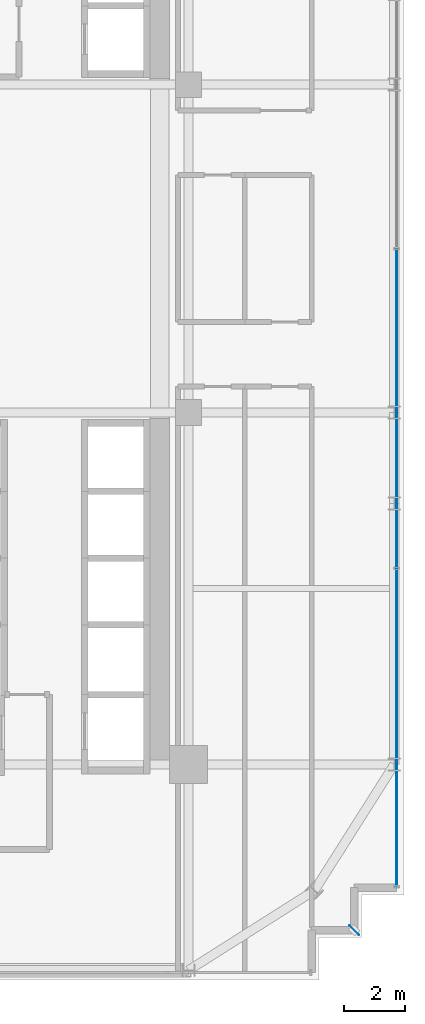
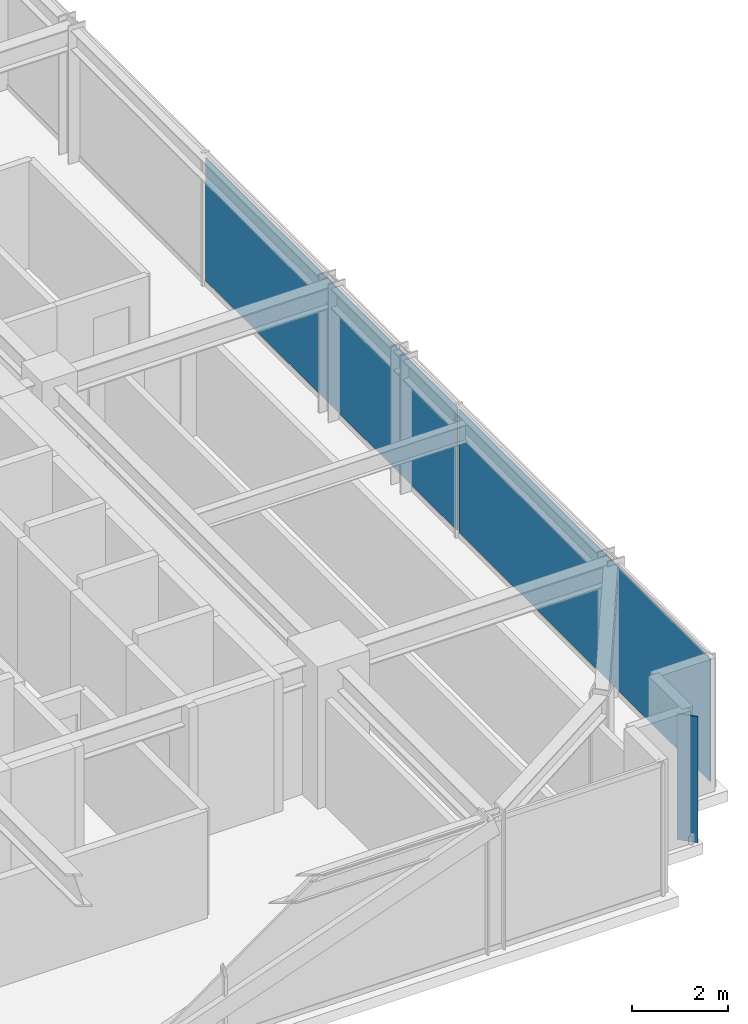
# One storey, part 28 of 39: 3 plates, 1 element without a shape of its own.
"""IFC4 building model written with IfcOpenShell, lengths in metres."""

from ifc_helpers import new_model, si_unit, direction, frame, origin, origin_2d, place, context, subcontext, project, spatial, rectangle, extrude, source, transform, mapped, material, layer, layer_set, type_object, element, aggregate, save


model = new_model("IFC4")

# Units and contexts
model_context = context("Model", 3, precision=1e-05, world=origin(), true_north=direction((0.0, 1.0)))
body_context = subcontext(model_context, "Body", "Model", "MODEL_VIEW")
ifc_project = project(units=[si_unit("LENGTHUNIT", "METRE"), si_unit("AREAUNIT", "SQUARE_METRE"), si_unit("VOLUMEUNIT", "CUBIC_METRE"), si_unit("PLANEANGLEUNIT", "RADIAN"), si_unit("MASSUNIT", "GRAM", prefix="KILO")], contexts=[model_context])

# Site, building, storey
site_placement = place(None, origin())
site = spatial("IfcSite", under=ifc_project, at=site_placement, CompositionType="ELEMENT")
building_placement = place(site_placement, origin())
building = spatial("IfcBuilding", under=site, at=building_placement, Name="Nahalor Promenade Grand Hotel", CompositionType="ELEMENT")
storey_placement = place(building_placement, frame((0.0, 0.0, 135.75)))
storey = spatial("IfcBuildingStorey", under=building, at=storey_placement, Name="L34", CompositionType="ELEMENT", Elevation=135.75)

# Plate
ifc_material_1 = material(Name="Anodised Bronze Aluminium EN AW-6063 T6", Category="aluminium")
ifc_layer_1 = layer(ifc_material_1, 0.02001953125)
ifc_layer_set_1 = layer_set([ifc_layer_1], Name="Anodised Bronze Aluminium EN AW-6063 T6")
plate_type_1 = type_object("IfcPlateType", Name="Plate-CornerFin-20", PredefinedType="SHEET", material=ifc_layer_set_1)
shared_shape_1 = source(origin(), body_context, "Body", "SweptSolid", [
    extrude(rectangle(XDim=0.449951171875, YDim=0.02001953125, at=origin_2d()), origin(), (0.0, 0.0, 1.0), 3.199951171875),
])
plate_1_placement = place(storey_placement, frame((22.4599609375, -22.4599609375, 0.0), z_axis=(0.0, 0.0, 1.0), x_axis=(-0.707106781187, 0.707106781187, 0.0)))
element("IfcPlate", 1, at=plate_1_placement, inside=storey, type_object=plate_type_1, Name="FIN-L34-SE", PredefinedType="SHEET", context=body_context, shape_type="MappedRepresentation", body=[
    mapped(shared_shape_1, transform((0.0, 0.0, 0.0), scale=1.0)),
])

# Curtain wall, plates
curtain_wall_type = type_object("IfcCurtainWallType", Name="CW2 Typical Hotel Flush Bronze Unitised Curtain Wall", PredefinedType="USERDEFINED", material=ifc_material_1)
curtain_wall_placement = place(storey_placement, origin())
curtain_wall = element("IfcCurtainWall", 2, at=curtain_wall_placement, inside=storey, type_object=curtain_wall_type, Name="L34 Curtain Wall CW-L34-E-1", ObjectType="UNITISED_CURTAIN_WALL", PredefinedType="USERDEFINED")
ifc_material_2 = material(Name="Low-E Laminated Solar Glass", Category="glass")
ifc_layer_2 = layer(ifc_material_2, 0.028076171875)
ifc_layer_set_2 = layer_set([ifc_layer_2], Name="Low-E Laminated Solar Glass")
plate_type_2 = type_object("IfcPlateType", Name="CWP2 Bronze Low-E Vision IGU 28mm", PredefinedType="CURTAIN_PANEL", material=ifc_layer_set_2)
shared_shape_2 = source(origin(), body_context, "Body", "SweptSolid", [
    extrude(rectangle(XDim=10.4326171875, YDim=0.028076171875, at=origin_2d()), origin(), (0.0, 0.0, 1.0), 3.1201171875),
])
plate_2_placement = place(storey_placement, frame((23.860107421875, -15.77880859375, 0.1298828125), z_axis=(0.0, 0.0, 1.0), x_axis=(0.0, 1.0, 0.0)))
plate_2 = element("IfcPlate", 3, at=plate_2_placement, type_object=plate_type_2, Name="CW-L34-E-1 Glazing Panel 0-0", PredefinedType="CURTAIN_PANEL", context=body_context, shape_type="MappedRepresentation", body=[
    mapped(shared_shape_2, transform((0.0, 0.0, 0.0), scale=1.0)),
])
shared_shape_3 = source(origin(), body_context, "Body", "SweptSolid", [
    extrude(rectangle(XDim=10.465087890625, YDim=0.028076171875, at=origin_2d()), origin(), (0.0, 0.0, 1.0), 3.1201171875),
])
plate_3_placement = place(storey_placement, frame((23.860107421875, -5.264892578125, 0.1298828125), z_axis=(0.0, 0.0, 1.0), x_axis=(0.0, 1.0, 0.0)))
plate_3 = element("IfcPlate", 4, at=plate_3_placement, type_object=plate_type_2, Name="CW-L34-E-1 Glazing Panel 1-0", PredefinedType="CURTAIN_PANEL", context=body_context, shape_type="MappedRepresentation", body=[
    mapped(shared_shape_3, transform((0.0, 0.0, 0.0), scale=1.0)),
])
aggregate(curtain_wall, [plate_2, plate_3])

save(model, "model.ifc")
